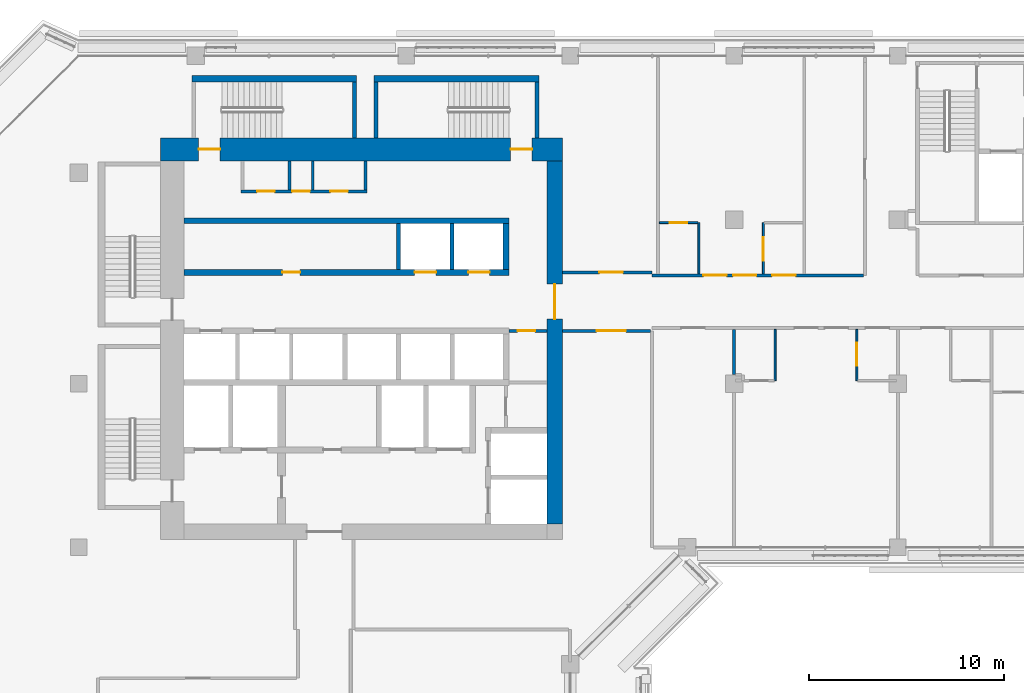
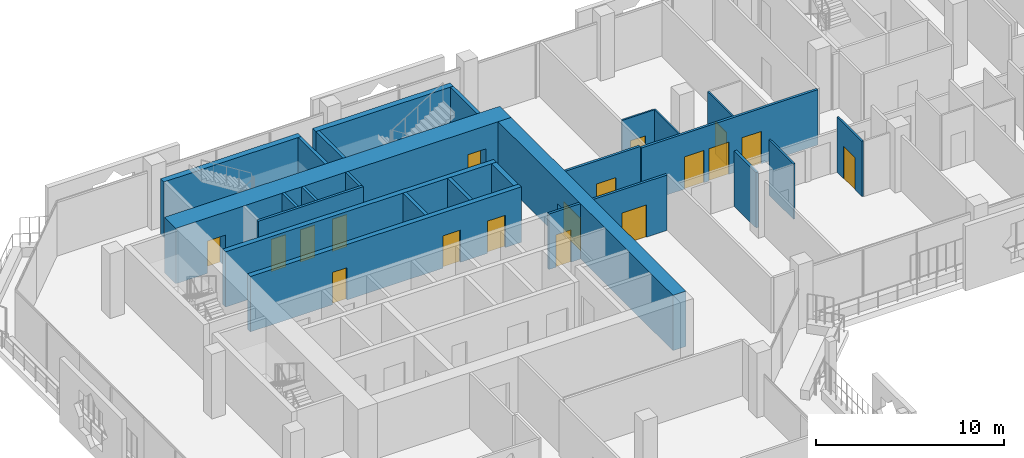
# One storey, part 12 of 23: 26 walls, 18 doors, 18 openings.
"""IFC4 building model written with IfcOpenShell, lengths in metres."""

import ifcopenshell
import ifcopenshell.guid

model = None  # the IFC model being written
_history = None  # IfcOwnerHistory: only IFC2X3 demands one
_inside = {}  # id of a spatial element -> (the spatial element, [elements in it])
_under = {}  # id of a project, library or spatial element -> (it, [spatial elements below it])
_declared = {}  # id of a project -> (the project, [libraries it declares])
_typed = {}  # id of a type object -> (the type object, [elements of that type])
_made_of = {}  # id of a material, layer set ... -> (it, [elements and type objects made of it])


def new_model(schema):
    """Start an empty IFC model of exactly this schema.

    Asked for "IFC4X3", IfcOpenShell would pick the latest addendum, in which some entities
    have other attributes; the version numbers below select the first issue.
    IFC2X3 requires an IfcOwnerHistory on every rooted entity: one is made here for all.
    """
    global model, _history
    if schema == "IFC4X3":
        model = ifcopenshell.file(schema_version=(4, 3, 0, 0))
    else:
        model = ifcopenshell.file(schema=schema)
    _inside.clear()
    _under.clear()
    _declared.clear()
    _typed.clear()
    _made_of.clear()
    _history = None
    if model.schema == "IFC2X3":
        org = make("IfcOrganization", Name="unknown")
        user = make(
            "IfcPersonAndOrganization",
            ThePerson=make("IfcPerson", FamilyName="unknown"),
            TheOrganization=org,
        )
        app = make(
            "IfcApplication",
            ApplicationDeveloper=org,
            Version="unknown",
            ApplicationFullName="unknown",
            ApplicationIdentifier="unknown",
        )
        _history = make(
            "IfcOwnerHistory",
            OwningUser=user,
            OwningApplication=app,
            ChangeAction="ADDED",
            CreationDate=0,
        )
    return model


def make(cls, **values):
    """One entity of the class cls with the attributes given. An attribute that is None is left unset."""
    return model.create_entity(
        cls, **{name: value for name, value in values.items() if value is not None}
    )


def rooted(cls, **values):
    """An entity with a GlobalId (a new one), such as an element, a storey or a relation."""
    return make(cls, GlobalId=ifcopenshell.guid.new(), OwnerHistory=_history, **values)


def si_unit(unit_type, name, prefix=None):
    """IfcSIUnit, for example si_unit("LENGTHUNIT", "METRE", prefix="MILLI")."""
    return make("IfcSIUnit", UnitType=unit_type, Prefix=prefix, Name=name)


def assignment(units):
    """IfcUnitAssignment: the units of a project."""
    return None if units is None else make("IfcUnitAssignment", Units=units)


def point(xyz):
    """IfcCartesianPoint."""
    return None if xyz is None else make("IfcCartesianPoint", Coordinates=xyz)


def direction(xyz):
    """IfcDirection."""
    return None if xyz is None else make("IfcDirection", DirectionRatios=xyz)


def frame(location, z_axis=None, x_axis=None):
    """IfcAxis2Placement3D, a coordinate frame: its origin and axes. An axis left out is left unset."""
    return make(
        "IfcAxis2Placement3D",
        Location=point(location),
        Axis=direction(z_axis),
        RefDirection=direction(x_axis),
    )


def frame_2d(location, x_axis=None):
    """IfcAxis2Placement2D, a coordinate frame in the plane: its origin and x axis."""
    return make(
        "IfcAxis2Placement2D", Location=point(location), RefDirection=direction(x_axis)
    )


def origin():
    """The frame at (0, 0, 0) with its axes left unset."""
    return frame((0.0, 0.0, 0.0))


def place(relative_to, where):
    """IfcLocalPlacement: puts the frame where relative to a parent placement (None: the world)."""
    return make(
        "IfcLocalPlacement", PlacementRelTo=relative_to, RelativePlacement=where
    )


def context(
    kind, dimensions, precision=None, world=None, true_north=None, identifier=None
):
    """IfcGeometricRepresentationContext, for example the 3D "Model" context."""
    return make(
        "IfcGeometricRepresentationContext",
        ContextIdentifier=identifier,
        ContextType=kind,
        CoordinateSpaceDimension=dimensions,
        Precision=precision,
        WorldCoordinateSystem=world,
        TrueNorth=true_north,
    )


def subcontext(parent, identifier, kind, view, scale=None):
    """IfcGeometricRepresentationSubContext, for example "Body" below "Model"."""
    return make(
        "IfcGeometricRepresentationSubContext",
        ContextIdentifier=identifier,
        ContextType=kind,
        ParentContext=parent,
        TargetScale=scale,
        TargetView=view,
    )


def project(units=None, contexts=None):
    """IfcProject with its units and contexts."""
    return rooted(
        "IfcProject",
        Name="project",
        RepresentationContexts=contexts,
        UnitsInContext=assignment(units),
    )


def spatial(cls, under=None, at=None, **own):
    """A site, building, storey or space (cls), placed at a placement, below another one or the project."""
    s = rooted(cls, ObjectPlacement=at, **own)
    if under is not None:
        _under.setdefault(under.id(), (under, []))[1].append(s)
    return s


def profile(cls, at=None, kind="AREA", **sizes):
    """A parametric profile (cls). Its sizes go by their IFC names, for example OverallWidth=200.0."""
    return make(cls, ProfileType=kind, Position=at, **sizes)


def rectangle(**sizes):
    """IfcRectangleProfileDef."""
    return profile("IfcRectangleProfileDef", **sizes)


def extrude(swept, where, along, depth):
    """IfcExtrudedAreaSolid: the profile swept, set in the frame where, extruded along a direction by depth."""
    return make(
        "IfcExtrudedAreaSolid",
        SweptArea=swept,
        Position=where,
        ExtrudedDirection=direction(along),
        Depth=depth,
    )


def shape(context_of_items, identifier, shape_type, items):
    """IfcShapeRepresentation: the items that make up one representation, for example the "Body"."""
    return make(
        "IfcShapeRepresentation",
        ContextOfItems=context_of_items,
        RepresentationIdentifier=identifier,
        RepresentationType=shape_type,
        Items=items,
    )


def material(Name=None, Category=None):
    """IfcMaterial."""
    return make("IfcMaterial", Name=Name, Category=Category)


def layer(
    of_material, thickness, ventilated=None, Name=None, Category=None, Priority=None
):
    """IfcMaterialLayer: one layer of a wall or slab, of a material (None: an air gap)."""
    return make(
        "IfcMaterialLayer",
        Material=of_material,
        LayerThickness=thickness,
        IsVentilated=ventilated,
        Name=Name,
        Category=Category,
        Priority=Priority,
    )


def layer_set(layers, Name=None):
    """IfcMaterialLayerSet."""
    return make("IfcMaterialLayerSet", MaterialLayers=layers, LayerSetName=Name)


def made_of(thing, what):
    """Note that an element or type object is made of a material, layer set ...; save() writes the relation."""
    if what is not None:
        _made_of.setdefault(what.id(), (what, []))[1].append(thing)
    return thing


def type_object(cls, material=None, **own):
    """A type object (cls), such as IfcWallType, which elements share."""
    return made_of(rooted(cls, **own), material)


def element(
    cls,
    number,
    at=None,
    inside=None,
    cuts=None,
    type_object=None,
    material=None,
    context=None,
    identifier="Body",
    shape_type=None,
    held_by="IfcProductDefinitionShape",
    body=None,
    shapes=None,
    **own,
):
    """One element of the class cls, such as IfcWall. Its Tag is "e" and its number.

    at: its placement. inside: the storey or other place that contains it. cuts: it is an
    opening in that element (IfcRelVoidsElement). A single representation is given by context,
    identifier, shape_type and body (its items); several are given by shapes. held_by: the class
    of the entity that holds the representations. save() writes the other relations.
    """
    e = rooted(cls, Tag="e%d" % number, ObjectPlacement=at, **own)
    if body is not None:
        shapes = [shape(context, identifier, shape_type, body)]
    if shapes is not None:
        e.Representation = make(held_by, Representations=shapes)
    if inside is not None:
        _inside.setdefault(inside.id(), (inside, []))[1].append(e)
    if cuts is not None:
        rooted(
            "IfcRelVoidsElement", RelatingBuildingElement=cuts, RelatedOpeningElement=e
        )
    if type_object is not None:
        _typed.setdefault(type_object.id(), (type_object, []))[1].append(e)
    return made_of(e, material)


def fill(opening, filler):
    """IfcRelFillsElement: the door or window that sits in an opening."""
    return rooted(
        "IfcRelFillsElement",
        RelatingOpeningElement=opening,
        RelatedBuildingElement=filler,
    )


def aggregate(whole, parts):
    """IfcRelAggregates: a whole, such as a stair, and the parts it consists of."""
    return rooted("IfcRelAggregates", RelatingObject=whole, RelatedObjects=parts)


def save(model, path):
    """Write the relations noted so far, then the file.

    IfcRelAggregates (storeys below a building ...), IfcRelContainedInSpatialStructure (elements
    in a storey), IfcRelDefinesByType, IfcRelAssociatesMaterial and IfcRelDeclares: one each for
    every whole, place, type object, material and project.
    """
    for whole, parts in _under.values():
        aggregate(whole, parts)
    for where, things in _inside.values():
        rooted(
            "IfcRelContainedInSpatialStructure",
            RelatedElements=things,
            RelatingStructure=where,
        )
    for kind, things in _typed.values():
        rooted("IfcRelDefinesByType", RelatedObjects=things, RelatingType=kind)
    for what, things in _made_of.values():
        rooted("IfcRelAssociatesMaterial", RelatedObjects=things, RelatingMaterial=what)
    for by, libraries in _declared.values():
        rooted("IfcRelDeclares", RelatingContext=by, RelatedDefinitions=libraries)
    model.write(path)


model = new_model("IFC4")

# Units and contexts
model_context = context("Model", 3, precision=1e-05, world=origin(), true_north=direction((0.0, 1.0)))
body_context = subcontext(model_context, "Body", "Model", "MODEL_VIEW")
ifc_project = project(units=[si_unit("LENGTHUNIT", "METRE"), si_unit("AREAUNIT", "SQUARE_METRE"), si_unit("VOLUMEUNIT", "CUBIC_METRE"), si_unit("PLANEANGLEUNIT", "RADIAN"), si_unit("MASSUNIT", "GRAM", prefix="KILO")], contexts=[model_context])

# Site, building, storey
site_placement = place(None, origin())
site = spatial("IfcSite", under=ifc_project, at=site_placement, CompositionType="ELEMENT")
building_placement = place(site_placement, origin())
building = spatial("IfcBuilding", under=site, at=building_placement, Name="Kawkab Arch Medical Tower", CompositionType="ELEMENT")
storey_placement = place(building_placement, frame((0.0, 0.0, 247.39990234375)))
storey = spatial("IfcBuildingStorey", under=building, at=storey_placement, Name="L57", CompositionType="ELEMENT", Elevation=247.39990234375)

# Wall, openings, doors
ifc_material_1 = material(Name="Concrete C50/60", Category="concrete")
ifc_layer_1 = layer(ifc_material_1, 1.199951171875)
ifc_layer_set_1 = layer_set([ifc_layer_1], Name="Concrete C50/60")
wall_type_1 = type_object("IfcWallType", Name="Core ring wall 1200 C50/60", PredefinedType="SHEAR", material=ifc_layer_set_1)
wall_1_placement = place(storey_placement, frame((4.199951171875, -4.800048828125, 0.0), z_axis=(0.0, 0.0, 1.0), x_axis=(1.0, 0.0, 0.0)))
wall_1 = element("IfcWall", 1, at=wall_1_placement, inside=storey, type_object=wall_type_1, Name="L57 core wall", PredefinedType="SHEAR", context=body_context, shape_type="SweptSolid", body=[
    extrude(rectangle(XDim=20.60009765625, YDim=1.199951171875, at=frame_2d((10.300048828125, 0.0))), origin(), (0.0, 0.0, 1.0), 3.60009765625),
])
opening_1_placement = place(wall_1_placement, frame((1.949951171875, 0.0, 0.0)))
opening_1 = element("IfcOpeningElement", 2, at=opening_1_placement, cuts=wall_1, Name="Opening SD", PredefinedType="OPENING", context=body_context, shape_type="SweptSolid", body=[
    extrude(rectangle(XDim=1.10009765625, YDim=2.10009765625, at=frame_2d((0.550048828125, 1.050048828125))), frame((0.0, 0.60986328125, 0.0), z_axis=(0.0, -1.0, 0.0), x_axis=(1.0, 0.0, 0.0)), (0.0, 0.0, 1.0), 1.219970703125),
])
opening_2_placement = place(wall_1_placement, frame((17.949951171875, 0.0, 0.0)))
opening_2 = element("IfcOpeningElement", 3, at=opening_2_placement, cuts=wall_1, Name="Opening SD", PredefinedType="OPENING", context=body_context, shape_type="SweptSolid", body=[
    extrude(rectangle(XDim=1.10009765625, YDim=2.10009765625, at=frame_2d((0.550048828125, 1.050048828125))), frame((0.0, 0.60986328125, 0.0), z_axis=(0.0, -1.0, 0.0), x_axis=(1.0, 0.0, 0.0)), (0.0, 0.0, 1.0), 1.219970703125),
])
ifc_material_2 = material(Name="Hollow metal fire door leaf")
door_type_1 = type_object("IfcDoorType", Name="Exit stair door 1100", OperationType="SINGLE_SWING_LEFT", PredefinedType="DOOR", material=ifc_material_2)
door_1_placement = place(opening_1_placement, origin())
door_1 = element("IfcDoor", 4, at=door_1_placement, inside=storey, type_object=door_type_1, Name="L57 Exit stair ST3 door", OperationType="SINGLE_SWING_LEFT", OverallHeight=2.10009765625, OverallWidth=1.10009765625, PredefinedType="DOOR", context=body_context, shape_type="SweptSolid", body=[
    extrude(rectangle(XDim=1.10009765625, YDim=2.10009765625, at=frame_2d((0.550048828125, 1.050048828125))), frame((0.0, 0.02490234375, 0.0), z_axis=(0.0, -1.0, 0.0), x_axis=(1.0, 0.0, 0.0)), (0.0, 0.0, 1.0), 0.050048828125),
])
fill(opening_1, door_1)
door_2_placement = place(opening_2_placement, origin())
door_2 = element("IfcDoor", 5, at=door_2_placement, inside=storey, type_object=door_type_1, Name="L57 Exit stair ST4 door", OperationType="SINGLE_SWING_LEFT", OverallHeight=2.10009765625, OverallWidth=1.10009765625, PredefinedType="DOOR", context=body_context, shape_type="SweptSolid", body=[
    extrude(rectangle(XDim=1.10009765625, YDim=2.10009765625, at=frame_2d((0.550048828125, 1.050048828125))), frame((0.0, 0.02490234375, 0.0), z_axis=(0.0, -1.0, 0.0), x_axis=(1.0, 0.0, 0.0)), (0.0, 0.0, 1.0), 0.050048828125),
])
fill(opening_2, door_2)

# Wall, opening, door
ifc_material_3 = material(Name="Concrete C50/60", Category="concrete")
ifc_layer_2 = layer(ifc_material_3, 0.800048828125)
ifc_layer_set_2 = layer_set([ifc_layer_2], Name="Concrete C50/60")
wall_type_2 = type_object("IfcWallType", Name="Core ring wall 800 C50/60", PredefinedType="SHEAR", material=ifc_layer_set_2)
wall_2_placement = place(storey_placement, frame((24.39990234375, -24.0, 0.0), z_axis=(0.0, 0.0, 1.0), x_axis=(0.0, 1.0, 0.0)))
wall_2 = element("IfcWall", 6, at=wall_2_placement, inside=storey, type_object=wall_type_2, Name="L57 core wall", PredefinedType="SHEAR", context=body_context, shape_type="SweptSolid", body=[
    extrude(rectangle(XDim=18.60009765625, YDim=0.800048828125, at=frame_2d((9.300048828125, 0.0))), origin(), (0.0, 0.0, 1.0), 3.60009765625),
])
opening_3_placement = place(wall_2_placement, frame((10.5, 0.0, 0.0)))
opening_3 = element("IfcOpeningElement", 7, at=opening_3_placement, cuts=wall_2, Name="Opening PD", PredefinedType="OPENING", context=body_context, shape_type="SweptSolid", body=[
    extrude(rectangle(XDim=1.800048828125, YDim=2.10009765625, at=frame_2d((0.89990234375, 1.050048828125))), frame((0.0, 0.409912109375, 0.0), z_axis=(0.0, -1.0, 0.0), x_axis=(1.0, 0.0, 0.0)), (0.0, 0.0, 1.0), 0.820068359375),
])
ifc_material_4 = material(Name="Hollow metal fire door leaf")
door_type_2 = type_object("IfcDoorType", Name="Core entrance doors 1800", OperationType="DOUBLE_DOOR_SINGLE_SWING", PredefinedType="DOOR", material=ifc_material_4)
door_3_placement = place(opening_3_placement, origin())
door_3 = element("IfcDoor", 8, at=door_3_placement, inside=storey, type_object=door_type_2, Name="L57 East entrance doors", OperationType="DOUBLE_DOOR_SINGLE_SWING", OverallHeight=2.10009765625, OverallWidth=1.800048828125, PredefinedType="DOOR", context=body_context, shape_type="SweptSolid", body=[
    extrude(rectangle(XDim=1.800048828125, YDim=2.10009765625, at=frame_2d((0.89990234375, 1.050048828125))), frame((0.0, 0.02490234375, 0.0), z_axis=(0.0, -1.0, 0.0), x_axis=(1.0, 0.0, 0.0)), (0.0, 0.0, 1.0), 0.050048828125),
])
fill(opening_3, door_3)

ifc_material_5 = material(Name="Gypsum board on steel studs", Category="steel")
ifc_layer_3 = layer(ifc_material_5, 0.14990234375)
ifc_layer_set_3 = layer_set([ifc_layer_3], Name="Gypsum board on steel studs")
wall_type_3 = type_object("IfcWallType", Name="Core room partition 150", PredefinedType="PARTITIONING", material=ifc_layer_set_3)
wall_3_placement = place(storey_placement, frame((22.050048828125, -14.10009765625, 0.0), z_axis=(0.0, 0.0, 1.0), x_axis=(1.0, 0.0, 0.0)))
wall_3 = element("IfcWall", 9, at=wall_3_placement, inside=storey, type_object=wall_type_3, Name="L57 core room partition", PredefinedType="PARTITIONING", context=body_context, shape_type="SweptSolid", body=[
    extrude(rectangle(XDim=1.949951171875, YDim=0.14990234375, at=frame_2d((0.97509765625, 0.0))), origin(), (0.0, 0.0, 1.0), 3.60009765625),
])
opening_4_placement = place(wall_3_placement, frame((0.449951171875, 0.0, 0.0)))
opening_4 = element("IfcOpeningElement", 10, at=opening_4_placement, cuts=wall_3, Name="Opening RD", PredefinedType="OPENING", context=body_context, shape_type="SweptSolid", body=[
    extrude(rectangle(XDim=0.89990234375, YDim=2.10009765625, at=frame_2d((0.449951171875, 1.050048828125))), frame((0.0, 0.0849609375, 0.0), z_axis=(0.0, -1.0, 0.0), x_axis=(1.0, 0.0, 0.0)), (0.0, 0.0, 1.0), 0.169921875),
])
ifc_material_6 = material(Name="Hollow metal fire door leaf")
door_type_3 = type_object("IfcDoorType", Name="Core room door 900", OperationType="SINGLE_SWING_LEFT", PredefinedType="DOOR", material=ifc_material_6)
door_4_placement = place(opening_4_placement, origin())
door_4 = element("IfcDoor", 11, at=door_4_placement, inside=storey, type_object=door_type_3, Name="L57 Medication store door", OperationType="SINGLE_SWING_LEFT", OverallHeight=2.10009765625, OverallWidth=0.89990234375, PredefinedType="DOOR", context=body_context, shape_type="SweptSolid", body=[
    extrude(rectangle(XDim=0.89990234375, YDim=2.10009765625, at=frame_2d((0.449951171875, 1.050048828125))), frame((0.0, 0.02490234375, 0.0), z_axis=(0.0, -1.0, 0.0), x_axis=(1.0, 0.0, 0.0)), (0.0, 0.0, 1.0), 0.050048828125),
])
fill(opening_4, door_4)

# Wall, openings, doors
wall_4_placement = place(storey_placement, frame((8.324951171875, -6.949951171875, 0.0), z_axis=(0.0, 0.0, 1.0), x_axis=(1.0, 0.0, 0.0)))
wall_4 = element("IfcWall", 12, at=wall_4_placement, inside=storey, type_object=wall_type_3, Name="L57 core room partition", PredefinedType="PARTITIONING", context=body_context, shape_type="SweptSolid", body=[
    extrude(rectangle(XDim=6.449951171875, YDim=0.14990234375, at=frame_2d((3.22509765625, 0.0))), origin(), (0.0, 0.0, 1.0), 3.60009765625),
])
opening_5_placement = place(wall_4_placement, frame((0.824951171875, 0.0, 0.0)))
opening_5 = element("IfcOpeningElement", 13, at=opening_5_placement, cuts=wall_4, Name="Opening RD", PredefinedType="OPENING", context=body_context, shape_type="SweptSolid", body=[
    extrude(rectangle(XDim=0.89990234375, YDim=2.10009765625, at=frame_2d((0.449951171875, 1.050048828125))), frame((0.0, 0.0849609375, 0.0), z_axis=(0.0, -1.0, 0.0), x_axis=(1.0, 0.0, 0.0)), (0.0, 0.0, 1.0), 0.169921875),
])
opening_6_placement = place(wall_4_placement, frame((2.625, 0.0, 0.0)))
opening_6 = element("IfcOpeningElement", 14, at=opening_6_placement, cuts=wall_4, Name="Opening RD", PredefinedType="OPENING", context=body_context, shape_type="SweptSolid", body=[
    extrude(rectangle(XDim=0.89990234375, YDim=2.10009765625, at=frame_2d((0.449951171875, 1.050048828125))), frame((0.0, 0.0849609375, 0.0), z_axis=(0.0, -1.0, 0.0), x_axis=(1.0, 0.0, 0.0)), (0.0, 0.0, 1.0), 0.169921875),
])
opening_7_placement = place(wall_4_placement, frame((4.574951171875, 0.0, 0.0)))
opening_7 = element("IfcOpeningElement", 15, at=opening_7_placement, cuts=wall_4, Name="Opening RD", PredefinedType="OPENING", context=body_context, shape_type="SweptSolid", body=[
    extrude(rectangle(XDim=0.89990234375, YDim=2.10009765625, at=frame_2d((0.449951171875, 1.050048828125))), frame((0.0, 0.0849609375, 0.0), z_axis=(0.0, -1.0, 0.0), x_axis=(1.0, 0.0, 0.0)), (0.0, 0.0, 1.0), 0.169921875),
])
door_5_placement = place(opening_5_placement, origin())
door_5 = element("IfcDoor", 16, at=door_5_placement, inside=storey, type_object=door_type_3, Name="L57 Housekeeping store door", OperationType="SINGLE_SWING_LEFT", OverallHeight=2.10009765625, OverallWidth=0.89990234375, PredefinedType="DOOR", context=body_context, shape_type="SweptSolid", body=[
    extrude(rectangle(XDim=0.89990234375, YDim=2.10009765625, at=frame_2d((0.449951171875, 1.050048828125))), frame((0.0, 0.02490234375, 0.0), z_axis=(0.0, -1.0, 0.0), x_axis=(1.0, 0.0, 0.0)), (0.0, 0.0, 1.0), 0.050048828125),
])
fill(opening_5, door_5)
door_6_placement = place(opening_6_placement, origin())
door_6 = element("IfcDoor", 17, at=door_6_placement, inside=storey, type_object=door_type_3, Name="L57 Electrical riser room door", OperationType="SINGLE_SWING_LEFT", OverallHeight=2.10009765625, OverallWidth=0.89990234375, PredefinedType="DOOR", context=body_context, shape_type="SweptSolid", body=[
    extrude(rectangle(XDim=0.89990234375, YDim=2.10009765625, at=frame_2d((0.449951171875, 1.050048828125))), frame((0.0, 0.02490234375, 0.0), z_axis=(0.0, -1.0, 0.0), x_axis=(1.0, 0.0, 0.0)), (0.0, 0.0, 1.0), 0.050048828125),
])
fill(opening_6, door_6)
door_7_placement = place(opening_7_placement, origin())
door_7 = element("IfcDoor", 18, at=door_7_placement, inside=storey, type_object=door_type_3, Name="L57 Equipment store door", OperationType="SINGLE_SWING_LEFT", OverallHeight=2.10009765625, OverallWidth=0.89990234375, PredefinedType="DOOR", context=body_context, shape_type="SweptSolid", body=[
    extrude(rectangle(XDim=0.89990234375, YDim=2.10009765625, at=frame_2d((0.449951171875, 1.050048828125))), frame((0.0, 0.02490234375, 0.0), z_axis=(0.0, -1.0, 0.0), x_axis=(1.0, 0.0, 0.0)), (0.0, 0.0, 1.0), 0.050048828125),
])
fill(opening_7, door_7)

# Walls
for number, where, z_axis, x_axis, name in (
    (19, (10.800048828125, -6.875, 0.0), (0.0, 0.0, 1.0), (0.0, 1.0, 0.0), "L57 core room partition"),
    (20, (12.0, -6.875, 0.0), (0.0, 0.0, 1.0), (0.0, 1.0, 0.0), "L57 core room partition"),
    (21, (14.699951171875, -6.875, 0.0), (0.0, 0.0, 1.0), (0.0, 1.0, 0.0), "L57 core room partition"),
):
    element("IfcWall", number, at=place(storey_placement, frame(where, z_axis=z_axis, x_axis=x_axis)), inside=storey, type_object=wall_type_3, Name=name, PredefinedType="PARTITIONING", context=body_context, shape_type="SweptSolid", body=[
        extrude(rectangle(XDim=1.47509765625, YDim=0.14990234375, at=frame_2d((0.737548828125, 0.0))), origin(), (0.0, 0.0, 1.0), 3.60009765625),
    ])
ifc_material_7 = material(Name="Concrete C60/75", Category="concrete")
ifc_layer_4 = layer(ifc_material_7, 0.300048828125)
ifc_layer_set_4 = layer_set([ifc_layer_4], Name="Concrete C60/75")
wall_type_4 = type_object("IfcWallType", Name="Core shear wall 300 C60/75", PredefinedType="SHEAR", material=ifc_layer_set_4)
wall_5_placement = place(storey_placement, frame((5.39990234375, -8.449951171875, 0.0), z_axis=(0.0, 0.0, 1.0), x_axis=(1.0, 0.0, 0.0)))
element("IfcWall", 22, at=wall_5_placement, inside=storey, type_object=wall_type_4, Name="L57 core shear wall", PredefinedType="SHEAR", context=body_context, shape_type="SweptSolid", body=[
    extrude(rectangle(XDim=16.650146484375, YDim=0.300048828125, at=frame_2d((8.3251953125, 0.0))), origin(), (0.0, 0.0, 1.0), 3.60009765625),
])

# Wall, openings, doors
wall_6_placement = place(storey_placement, frame((5.39990234375, -11.10009765625, 0.0), z_axis=(0.0, 0.0, 1.0), x_axis=(1.0, 0.0, 0.0)))
wall_6 = element("IfcWall", 23, at=wall_6_placement, inside=storey, type_object=wall_type_4, Name="L57 core shear wall", PredefinedType="SHEAR", context=body_context, shape_type="SweptSolid", body=[
    extrude(rectangle(XDim=16.650146484375, YDim=0.300048828125, at=frame_2d((8.3251953125, 0.0))), origin(), (0.0, 0.0, 1.0), 3.60009765625),
])
opening_8_placement = place(wall_6_placement, frame((11.824951171875, 0.0, 0.0)))
opening_8 = element("IfcOpeningElement", 24, at=opening_8_placement, cuts=wall_6, Name="Opening LD1", PredefinedType="OPENING", context=body_context, shape_type="SweptSolid", body=[
    extrude(rectangle(XDim=1.10009765625, YDim=2.10009765625, at=frame_2d((0.550048828125, 1.050048828125))), frame((0.0, 0.159912109375, 0.0), z_axis=(0.0, -1.0, 0.0), x_axis=(1.0, 0.0, 0.0)), (0.0, 0.0, 1.0), 0.320068359375),
])
opening_9_placement = place(wall_6_placement, frame((14.574951171875, 0.0, 0.0)))
opening_9 = element("IfcOpeningElement", 25, at=opening_9_placement, cuts=wall_6, Name="Opening LD1", PredefinedType="OPENING", context=body_context, shape_type="SweptSolid", body=[
    extrude(rectangle(XDim=1.10009765625, YDim=2.10009765625, at=frame_2d((0.550048828125, 1.050048828125))), frame((0.0, 0.159912109375, 0.0), z_axis=(0.0, -1.0, 0.0), x_axis=(1.0, 0.0, 0.0)), (0.0, 0.0, 1.0), 0.320068359375),
])
opening_10_placement = place(wall_6_placement, frame((5.050048828125, 0.0, 0.0)))
opening_10 = element("IfcOpeningElement", 26, at=opening_10_placement, cuts=wall_6, Name="Opening RD", PredefinedType="OPENING", context=body_context, shape_type="SweptSolid", body=[
    extrude(rectangle(XDim=0.89990234375, YDim=2.10009765625, at=frame_2d((0.449951171875, 1.050048828125))), frame((0.0, 0.159912109375, 0.0), z_axis=(0.0, -1.0, 0.0), x_axis=(1.0, 0.0, 0.0)), (0.0, 0.0, 1.0), 0.320068359375),
])
door_8_placement = place(opening_10_placement, origin())
door_8 = element("IfcDoor", 27, at=door_8_placement, inside=storey, type_object=door_type_3, Name="L57 Data room door", OperationType="SINGLE_SWING_LEFT", OverallHeight=2.10009765625, OverallWidth=0.89990234375, PredefinedType="DOOR", context=body_context, shape_type="SweptSolid", body=[
    extrude(rectangle(XDim=0.89990234375, YDim=2.10009765625, at=frame_2d((0.449951171875, 1.050048828125))), frame((0.0, 0.02490234375, 0.0), z_axis=(0.0, -1.0, 0.0), x_axis=(1.0, 0.0, 0.0)), (0.0, 0.0, 1.0), 0.050048828125),
])
fill(opening_10, door_8)
ifc_material_8 = material(Name="Stainless steel lift door leaf", Category="steel")
door_type_4 = type_object("IfcDoorType", Name="Lift landing door 1100", OperationType="DOUBLE_DOOR_SLIDING", PredefinedType="DOOR", material=ifc_material_8)
door_9_placement = place(opening_8_placement, origin())
door_9 = element("IfcDoor", 28, at=door_9_placement, inside=storey, type_object=door_type_4, Name="L57 Lift landing door MP1", OperationType="DOUBLE_DOOR_SLIDING", OverallHeight=2.10009765625, OverallWidth=1.10009765625, PredefinedType="DOOR", context=body_context, shape_type="SweptSolid", body=[
    extrude(rectangle(XDim=1.10009765625, YDim=2.10009765625, at=frame_2d((0.550048828125, 1.050048828125))), frame((0.0, 0.02490234375, 0.0), z_axis=(0.0, -1.0, 0.0), x_axis=(1.0, 0.0, 0.0)), (0.0, 0.0, 1.0), 0.050048828125),
])
fill(opening_8, door_9)
door_10_placement = place(opening_9_placement, origin())
door_10 = element("IfcDoor", 29, at=door_10_placement, inside=storey, type_object=door_type_4, Name="L57 Lift landing door MP2", OperationType="DOUBLE_DOOR_SLIDING", OverallHeight=2.10009765625, OverallWidth=1.10009765625, PredefinedType="DOOR", context=body_context, shape_type="SweptSolid", body=[
    extrude(rectangle(XDim=1.10009765625, YDim=2.10009765625, at=frame_2d((0.550048828125, 1.050048828125))), frame((0.0, 0.02490234375, 0.0), z_axis=(0.0, -1.0, 0.0), x_axis=(1.0, 0.0, 0.0)), (0.0, 0.0, 1.0), 0.050048828125),
])
fill(opening_9, door_10)

# Walls
wall_7_placement = place(storey_placement, frame((21.89990234375, -10.949951171875, 0.0), z_axis=(0.0, 0.0, 1.0), x_axis=(0.0, 1.0, 0.0)))
element("IfcWall", 30, at=wall_7_placement, inside=storey, type_object=wall_type_4, Name="L57 core shear wall", PredefinedType="SHEAR", context=body_context, shape_type="SweptSolid", body=[
    extrude(rectangle(XDim=2.349853515625, YDim=0.300048828125, at=frame_2d((1.1748046875, 0.0))), origin(), (0.0, 0.0, 1.0), 3.60009765625),
])
ifc_material_9 = material(Name="Dense concrete blockwork", Category="masonry")
ifc_layer_5 = layer(ifc_material_9, 0.199951171875)
ifc_layer_set_5 = layer_set([ifc_layer_5], Name="Dense concrete blockwork")
wall_type_5 = type_object("IfcWallType", Name="Lift shaft partition 200", PredefinedType="PARTITIONING", material=ifc_layer_set_5)
for number, where, z_axis, x_axis, name in (
    (31, (16.39990234375, -10.949951171875, 0.0), (0.0, 0.0, 1.0), (0.0, 1.0, 0.0), "L57 lift shaft partition"),
    (32, (19.14990234375, -10.949951171875, 0.0), (0.0, 0.0, 1.0), (0.0, 1.0, 0.0), "L57 lift shaft partition"),
):
    element("IfcWall", number, at=place(storey_placement, frame(where, z_axis=z_axis, x_axis=x_axis)), inside=storey, type_object=wall_type_5, Name=name, PredefinedType="PARTITIONING", context=body_context, shape_type="SweptSolid", body=[
        extrude(rectangle(XDim=2.349853515625, YDim=0.199951171875, at=frame_2d((1.1748046875, 0.0))), origin(), (0.0, 0.0, 1.0), 3.60009765625),
    ])

# Wall, opening, door
ifc_material_10 = material(Name="Gypsum board partition on steel studs", Category="steel")
ifc_layer_6 = layer(ifc_material_10, 0.10009765625)
ifc_layer_set_6 = layer_set([ifc_layer_6], Name="Gypsum board partition on steel studs")
wall_type_6 = type_object("IfcWallType", Name="Partition 100", PredefinedType="PARTITIONING", material=ifc_layer_set_6)
wall_8_placement = place(storey_placement, frame((29.77490234375, -8.550048828125, 0.0), z_axis=(0.0, 0.0, 1.0), x_axis=(1.0, 0.0, 0.0)))
wall_8 = element("IfcWall", 33, at=wall_8_placement, inside=storey, type_object=wall_type_6, Name="Partition 100 w007", PredefinedType="PARTITIONING", context=body_context, shape_type="SweptSolid", body=[
    extrude(rectangle(XDim=1.97509765625, YDim=0.10009765625, at=frame_2d((0.987548828125, 0.0))), origin(), (0.0, 0.0, 1.0), 3.60009765625),
])
opening_11_placement = place(wall_8_placement, frame((0.52490234375, 0.0, 0.0)))
opening_11 = element("IfcOpeningElement", 34, at=opening_11_placement, cuts=wall_8, Name="Opening W57-002", PredefinedType="OPENING", context=body_context, shape_type="SweptSolid", body=[
    extrude(rectangle(XDim=0.89990234375, YDim=2.10009765625, at=frame_2d((0.449951171875, 1.050048828125))), frame((0.0, 0.06005859375, 0.0), z_axis=(0.0, -1.0, 0.0), x_axis=(1.0, 0.0, 0.0)), (0.0, 0.0, 1.0), 0.1201171875),
])
ifc_material_11 = material(Name="Timber door leaf", Category="wood")
door_type_5 = type_object("IfcDoorType", Name="Single door 900x2100", OperationType="NOTDEFINED", PredefinedType="DOOR", material=ifc_material_11)
door_11_placement = place(opening_11_placement, origin())
door_11 = element("IfcDoor", 35, at=door_11_placement, inside=storey, type_object=door_type_5, Name="Door W57-002", OperationType="SINGLE_SWING_LEFT", OverallHeight=2.10009765625, OverallWidth=0.89990234375, PredefinedType="DOOR", context=body_context, shape_type="SweptSolid", body=[
    extrude(rectangle(XDim=0.89990234375, YDim=2.10009765625, at=frame_2d((0.449951171875, 1.050048828125))), frame((0.0, 0.02490234375, 0.0), z_axis=(0.0, -1.0, 0.0), x_axis=(1.0, 0.0, 0.0)), (0.0, 0.0, 1.0), 0.050048828125),
])
fill(opening_11, door_11)

# Wall
wall_9_placement = place(storey_placement, frame((31.800048828125, -11.175048828125, 0.0), z_axis=(0.0, 0.0, 1.0), x_axis=(0.0, 1.0, 0.0)))
element("IfcWall", 36, at=wall_9_placement, inside=storey, type_object=wall_type_6, Name="Partition 100 w010", PredefinedType="PARTITIONING", context=body_context, shape_type="SweptSolid", body=[
    extrude(rectangle(XDim=2.625, YDim=0.10009765625, at=frame_2d((1.3125, 0.0))), origin(), (0.0, 0.0, 1.0), 3.60009765625),
])

# Wall, opening, door
wall_10_placement = place(storey_placement, frame((35.10009765625, -11.175048828125, 0.0), z_axis=(0.0, 0.0, 1.0), x_axis=(0.0, 1.0, 0.0)))
wall_10 = element("IfcWall", 37, at=wall_10_placement, inside=storey, type_object=wall_type_6, Name="Partition 100 w011", PredefinedType="PARTITIONING", context=body_context, shape_type="SweptSolid", body=[
    extrude(rectangle(XDim=2.625, YDim=0.10009765625, at=frame_2d((1.3125, 0.0))), origin(), (0.0, 0.0, 1.0), 3.60009765625),
])
opening_12_placement = place(wall_10_placement, frame((0.675048828125, 0.0, 0.0)))
opening_12 = element("IfcOpeningElement", 38, at=opening_12_placement, cuts=wall_10, Name="Opening W57-025", PredefinedType="OPENING", context=body_context, shape_type="SweptSolid", body=[
    extrude(rectangle(XDim=1.199951171875, YDim=2.10009765625, at=frame_2d((0.60009765625, 1.050048828125))), frame((0.0, 0.06005859375, 0.0), z_axis=(0.0, -1.0, 0.0), x_axis=(1.0, 0.0, 0.0)), (0.0, 0.0, 1.0), 0.1201171875),
])
ifc_material_12 = material(Name="Timber door leaf", Category="wood")
door_type_6 = type_object("IfcDoorType", Name="Single door 1200x2100", OperationType="NOTDEFINED", PredefinedType="DOOR", material=ifc_material_12)
door_12_placement = place(opening_12_placement, origin())
door_12 = element("IfcDoor", 39, at=door_12_placement, inside=storey, type_object=door_type_6, Name="Door W57-025", OperationType="SINGLE_SWING_RIGHT", OverallHeight=2.10009765625, OverallWidth=1.199951171875, PredefinedType="DOOR", context=body_context, shape_type="SweptSolid", body=[
    extrude(rectangle(XDim=1.199951171875, YDim=2.10009765625, at=frame_2d((0.60009765625, 1.050048828125))), frame((0.0, 0.02490234375, 0.0), z_axis=(0.0, -1.0, 0.0), x_axis=(1.0, 0.0, 0.0)), (0.0, 0.0, 1.0), 0.050048828125),
])
fill(opening_12, door_12)

# Wall
wall_11_placement = place(storey_placement, frame((35.699951171875, -16.64990234375, 0.0), z_axis=(0.0, 0.0, 1.0), x_axis=(0.0, 1.0, 0.0)))
element("IfcWall", 40, at=wall_11_placement, inside=storey, type_object=wall_type_6, Name="Partition 100 w012", PredefinedType="PARTITIONING", context=body_context, shape_type="SweptSolid", body=[
    extrude(rectangle(XDim=2.625, YDim=0.10009765625, at=frame_2d((1.3125, 0.0))), origin(), (0.0, 0.0, 1.0), 3.60009765625),
])

# Wall, opening, door
wall_12_placement = place(storey_placement, frame((39.89990234375, -16.64990234375, 0.0), z_axis=(0.0, 0.0, 1.0), x_axis=(0.0, 1.0, 0.0)))
wall_12 = element("IfcWall", 41, at=wall_12_placement, inside=storey, type_object=wall_type_6, Name="Partition 100 w013", PredefinedType="PARTITIONING", context=body_context, shape_type="SweptSolid", body=[
    extrude(rectangle(XDim=2.625, YDim=0.10009765625, at=frame_2d((1.3125, 0.0))), origin(), (0.0, 0.0, 1.0), 3.60009765625),
])
opening_13_placement = place(wall_12_placement, frame((0.75, 0.0, 0.0)))
opening_13 = element("IfcOpeningElement", 42, at=opening_13_placement, cuts=wall_12, Name="Opening W57-031", PredefinedType="OPENING", context=body_context, shape_type="SweptSolid", body=[
    extrude(rectangle(XDim=1.199951171875, YDim=2.10009765625, at=frame_2d((0.60009765625, 1.050048828125))), frame((0.0, 0.06005859375, 0.0), z_axis=(0.0, -1.0, 0.0), x_axis=(1.0, 0.0, 0.0)), (0.0, 0.0, 1.0), 0.1201171875),
])
door_13_placement = place(opening_13_placement, origin())
door_13 = element("IfcDoor", 43, at=door_13_placement, inside=storey, type_object=door_type_6, Name="Door W57-031", OperationType="SINGLE_SWING_LEFT", OverallHeight=2.10009765625, OverallWidth=1.199951171875, PredefinedType="DOOR", context=body_context, shape_type="SweptSolid", body=[
    extrude(rectangle(XDim=1.199951171875, YDim=2.10009765625, at=frame_2d((0.60009765625, 1.050048828125))), frame((0.0, 0.02490234375, 0.0), z_axis=(0.0, -1.0, 0.0), x_axis=(1.0, 0.0, 0.0)), (0.0, 0.0, 1.0), 0.050048828125),
])
fill(opening_13, door_13)

ifc_material_13 = material(Name="Gypsum board partition on steel studs, mineral wool", Category="steel")
ifc_layer_7 = layer(ifc_material_13, 0.14990234375)
ifc_layer_set_7 = layer_set([ifc_layer_7], Name="Gypsum board partition on steel studs, mineral wool")
wall_type_7 = type_object("IfcWallType", Name="Partition 150", PredefinedType="PARTITIONING", material=ifc_layer_set_7)
wall_13_placement = place(storey_placement, frame((24.800048828125, -14.10009765625, 0.0), z_axis=(0.0, 0.0, 1.0), x_axis=(1.0, 0.0, 0.0)))
wall_13 = element("IfcWall", 44, at=wall_13_placement, inside=storey, type_object=wall_type_7, Name="Partition 150 w032", PredefinedType="PARTITIONING", context=body_context, shape_type="SweptSolid", body=[
    extrude(rectangle(XDim=4.52490234375, YDim=0.14990234375, at=frame_2d((2.262451171875, 0.0))), origin(), (0.0, 0.0, 1.0), 3.60009765625),
])
opening_14_placement = place(wall_13_placement, frame((1.75, 0.0, 0.0)))
opening_14 = element("IfcOpeningElement", 45, at=opening_14_placement, cuts=wall_13, Name="Opening W57-001", PredefinedType="OPENING", context=body_context, shape_type="SweptSolid", body=[
    extrude(rectangle(XDim=1.5, YDim=2.10009765625, at=frame_2d((0.75, 1.050048828125))), frame((0.0, 0.0849609375, 0.0), z_axis=(0.0, -1.0, 0.0), x_axis=(1.0, 0.0, 0.0)), (0.0, 0.0, 1.0), 0.169921875),
])
ifc_material_14 = material(Name="Hollow metal door leaf")
door_type_7 = type_object("IfcDoorType", Name="Double door 1500x2100 FD30S", OperationType="NOTDEFINED", PredefinedType="DOOR", material=ifc_material_14)
door_14_placement = place(opening_14_placement, origin())
door_14 = element("IfcDoor", 46, at=door_14_placement, inside=storey, type_object=door_type_7, Name="Door W57-001", OperationType="DOUBLE_DOOR_SINGLE_SWING", OverallHeight=2.10009765625, OverallWidth=1.5, PredefinedType="DOOR", context=body_context, shape_type="SweptSolid", body=[
    extrude(rectangle(XDim=1.5, YDim=2.10009765625, at=frame_2d((0.75, 1.050048828125))), frame((0.0, 0.02490234375, 0.0), z_axis=(0.0, -1.0, 0.0), x_axis=(1.0, 0.0, 0.0)), (0.0, 0.0, 1.0), 0.050048828125),
])
fill(opening_14, door_14)

# Wall, openings, doors
wall_14_placement = place(storey_placement, frame((29.39990234375, -11.25, 0.0), z_axis=(0.0, 0.0, 1.0), x_axis=(1.0, 0.0, 0.0)))
wall_14 = element("IfcWall", 47, at=wall_14_placement, inside=storey, type_object=wall_type_7, Name="Partition 150 w034", PredefinedType="PARTITIONING", context=body_context, shape_type="SweptSolid", body=[
    extrude(rectangle(XDim=10.83203125, YDim=0.14990234375, at=frame_2d((5.416015625, 0.0))), origin(), (0.0, 0.0, 1.0), 3.60009765625),
])
opening_15_placement = place(wall_14_placement, frame((2.625, 0.0, 0.0)))
opening_15 = element("IfcOpeningElement", 48, at=opening_15_placement, cuts=wall_14, Name="Opening W57-022", PredefinedType="OPENING", context=body_context, shape_type="SweptSolid", body=[
    extrude(rectangle(XDim=1.199951171875, YDim=2.10009765625, at=frame_2d((0.60009765625, 1.050048828125))), frame((0.0, 0.0849609375, 0.0), z_axis=(0.0, -1.0, 0.0), x_axis=(1.0, 0.0, 0.0)), (0.0, 0.0, 1.0), 0.169921875),
])
opening_16_placement = place(wall_14_placement, frame((4.14990234375, 0.0, 0.0)))
opening_16 = element("IfcOpeningElement", 49, at=opening_16_placement, cuts=wall_14, Name="Opening W57-023", PredefinedType="OPENING", context=body_context, shape_type="SweptSolid", body=[
    extrude(rectangle(XDim=1.199951171875, YDim=2.10009765625, at=frame_2d((0.60009765625, 1.050048828125))), frame((0.0, 0.0849609375, 0.0), z_axis=(0.0, -1.0, 0.0), x_axis=(1.0, 0.0, 0.0)), (0.0, 0.0, 1.0), 0.169921875),
])
opening_17_placement = place(wall_14_placement, frame((6.14990234375, 0.0, 0.0)))
opening_17 = element("IfcOpeningElement", 50, at=opening_17_placement, cuts=wall_14, Name="Opening W57-024", PredefinedType="OPENING", context=body_context, shape_type="SweptSolid", body=[
    extrude(rectangle(XDim=1.199951171875, YDim=2.10009765625, at=frame_2d((0.60009765625, 1.050048828125))), frame((0.0, 0.0849609375, 0.0), z_axis=(0.0, -1.0, 0.0), x_axis=(1.0, 0.0, 0.0)), (0.0, 0.0, 1.0), 0.169921875),
])
ifc_material_15 = material(Name="Hollow metal door leaf")
door_type_8 = type_object("IfcDoorType", Name="Single door 1200x2100 FD30S", OperationType="NOTDEFINED", PredefinedType="DOOR", material=ifc_material_15)
door_15_placement = place(opening_15_placement, origin())
door_15 = element("IfcDoor", 51, at=door_15_placement, inside=storey, type_object=door_type_8, Name="Door W57-022", OperationType="SINGLE_SWING_LEFT", OverallHeight=2.10009765625, OverallWidth=1.199951171875, PredefinedType="DOOR", context=body_context, shape_type="SweptSolid", body=[
    extrude(rectangle(XDim=1.199951171875, YDim=2.10009765625, at=frame_2d((0.60009765625, 1.050048828125))), frame((0.0, 0.02490234375, 0.0), z_axis=(0.0, -1.0, 0.0), x_axis=(1.0, 0.0, 0.0)), (0.0, 0.0, 1.0), 0.050048828125),
])
fill(opening_15, door_15)
door_16_placement = place(opening_16_placement, origin())
door_16 = element("IfcDoor", 52, at=door_16_placement, inside=storey, type_object=door_type_8, Name="Door W57-023", OperationType="SINGLE_SWING_LEFT", OverallHeight=2.10009765625, OverallWidth=1.199951171875, PredefinedType="DOOR", context=body_context, shape_type="SweptSolid", body=[
    extrude(rectangle(XDim=1.199951171875, YDim=2.10009765625, at=frame_2d((0.60009765625, 1.050048828125))), frame((0.0, 0.02490234375, 0.0), z_axis=(0.0, -1.0, 0.0), x_axis=(1.0, 0.0, 0.0)), (0.0, 0.0, 1.0), 0.050048828125),
])
fill(opening_16, door_16)
door_17_placement = place(opening_17_placement, origin())
door_17 = element("IfcDoor", 53, at=door_17_placement, inside=storey, type_object=door_type_8, Name="Door W57-024", OperationType="SINGLE_SWING_RIGHT", OverallHeight=2.10009765625, OverallWidth=1.199951171875, PredefinedType="DOOR", context=body_context, shape_type="SweptSolid", body=[
    extrude(rectangle(XDim=1.199951171875, YDim=2.10009765625, at=frame_2d((0.60009765625, 1.050048828125))), frame((0.0, 0.02490234375, 0.0), z_axis=(0.0, -1.0, 0.0), x_axis=(1.0, 0.0, 0.0)), (0.0, 0.0, 1.0), 0.050048828125),
])
fill(opening_17, door_17)

# Wall, opening, door
wall_15_placement = place(storey_placement, frame((24.800048828125, -11.10009765625, 0.0), z_axis=(0.0, 0.0, 1.0), x_axis=(1.0, 0.0, 0.0)))
wall_15 = element("IfcWall", 54, at=wall_15_placement, inside=storey, type_object=wall_type_7, Name="Partition 150 w037", PredefinedType="PARTITIONING", context=body_context, shape_type="SweptSolid", body=[
    extrude(rectangle(XDim=4.599853515625, YDim=0.14990234375, at=frame_2d((2.2998046875, 0.0))), origin(), (0.0, 0.0, 1.0), 3.60009765625),
])
opening_18_placement = place(wall_15_placement, frame((1.89990234375, 0.0, 0.0)))
opening_18 = element("IfcOpeningElement", 55, at=opening_18_placement, cuts=wall_15, Name="Opening W57-021", PredefinedType="OPENING", context=body_context, shape_type="SweptSolid", body=[
    extrude(rectangle(XDim=1.199951171875, YDim=2.10009765625, at=frame_2d((0.60009765625, 1.050048828125))), frame((0.0, 0.0849609375, 0.0), z_axis=(0.0, -1.0, 0.0), x_axis=(1.0, 0.0, 0.0)), (0.0, 0.0, 1.0), 0.169921875),
])
door_18_placement = place(opening_18_placement, origin())
door_18 = element("IfcDoor", 56, at=door_18_placement, inside=storey, type_object=door_type_8, Name="Door W57-021", OperationType="SINGLE_SWING_RIGHT", OverallHeight=2.10009765625, OverallWidth=1.199951171875, PredefinedType="DOOR", context=body_context, shape_type="SweptSolid", body=[
    extrude(rectangle(XDim=1.199951171875, YDim=2.10009765625, at=frame_2d((0.60009765625, 1.050048828125))), frame((0.0, 0.02490234375, 0.0), z_axis=(0.0, -1.0, 0.0), x_axis=(1.0, 0.0, 0.0)), (0.0, 0.0, 1.0), 0.050048828125),
])
fill(opening_18, door_18)

# Walls
wall_16_placement = place(storey_placement, frame((33.60009765625, -16.347900390625, 0.0), z_axis=(0.0, 0.0, 1.0), x_axis=(0.0, 1.0, 0.0)))
element("IfcWall", 57, at=wall_16_placement, inside=storey, type_object=wall_type_7, Name="Partition 150 w056", PredefinedType="PARTITIONING", context=body_context, shape_type="SweptSolid", body=[
    extrude(rectangle(XDim=2.322998046875, YDim=0.14990234375, at=frame_2d((1.16162109375, 0.0))), origin(), (0.0, 0.0, 1.0), 3.60009765625),
])
ifc_material_16 = material(Name="Concrete C50/60", Category="concrete")
ifc_layer_8 = layer(ifc_material_16, 0.199951171875)
ifc_layer_set_8 = layer_set([ifc_layer_8], Name="Concrete C50/60")
wall_type_8 = type_object("IfcWallType", Name="Stair enclosure wall 200 C50/60", PredefinedType="SHEAR", material=ifc_layer_set_8)
for number, where, z_axis, x_axis, name in (
    (58, (14.14990234375, -4.199951171875, 0.0), (0.0, 0.0, 1.0), (0.0, 1.0, 0.0), "L57 stair enclosure wall"),
    (59, (15.25, -4.199951171875, 0.0), (0.0, 0.0, 1.0), (0.0, 1.0, 0.0), "L57 stair enclosure wall"),
    (60, (23.5, -4.199951171875, 0.0), (0.0, 0.0, 1.0), (0.0, 1.0, 0.0), "L57 stair enclosure wall"),
):
    element("IfcWall", number, at=place(storey_placement, frame(where, z_axis=z_axis, x_axis=x_axis)), inside=storey, type_object=wall_type_8, Name=name, PredefinedType="SHEAR", context=body_context, shape_type="SweptSolid", body=[
        extrude(rectangle(XDim=2.849853515625, YDim=0.199951171875, at=frame_2d((1.4248046875, 0.0))), origin(), (0.0, 0.0, 1.0), 3.60009765625),
    ])
ifc_material_17 = material(Name="Concrete C50/60", Category="concrete")
ifc_layer_9 = layer(ifc_material_17, 0.35009765625)
ifc_layer_set_9 = layer_set([ifc_layer_9], Name="Concrete C50/60")
wall_type_9 = type_object("IfcWallType", Name="Stair enclosure wall 350 C50/60", PredefinedType="SHEAR", material=ifc_layer_set_9)
wall_17_placement = place(storey_placement, frame((5.800048828125, -1.175048828125, 0.0), z_axis=(0.0, 0.0, 1.0), x_axis=(1.0, 0.0, 0.0)))
element("IfcWall", 61, at=wall_17_placement, inside=storey, type_object=wall_type_9, Name="L57 stair enclosure wall", PredefinedType="SHEAR", context=body_context, shape_type="SweptSolid", body=[
    extrude(rectangle(XDim=8.449951171875, YDim=0.35009765625, at=frame_2d((4.22509765625, 0.0))), origin(), (0.0, 0.0, 1.0), 3.60009765625),
])
wall_18_placement = place(storey_placement, frame((15.14990234375, -1.175048828125, 0.0), z_axis=(0.0, 0.0, 1.0), x_axis=(1.0, 0.0, 0.0)))
element("IfcWall", 62, at=wall_18_placement, inside=storey, type_object=wall_type_9, Name="L57 stair enclosure wall", PredefinedType="SHEAR", context=body_context, shape_type="SweptSolid", body=[
    extrude(rectangle(XDim=8.4501953125, YDim=0.35009765625, at=frame_2d((4.22509765625, 0.0))), origin(), (0.0, 0.0, 1.0), 3.60009765625),
])

save(model, "model.ifc")
